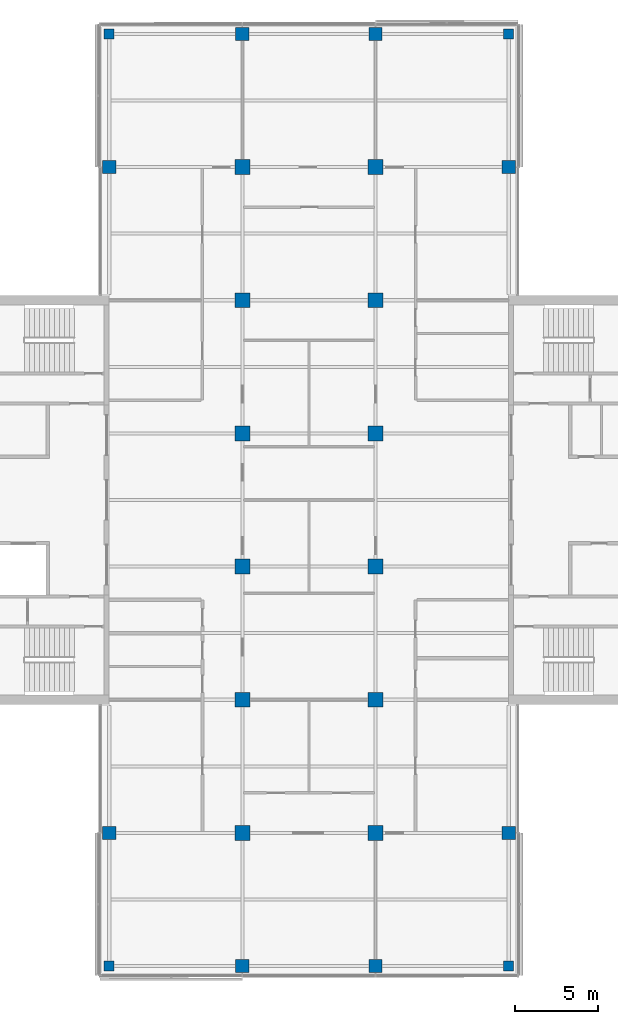
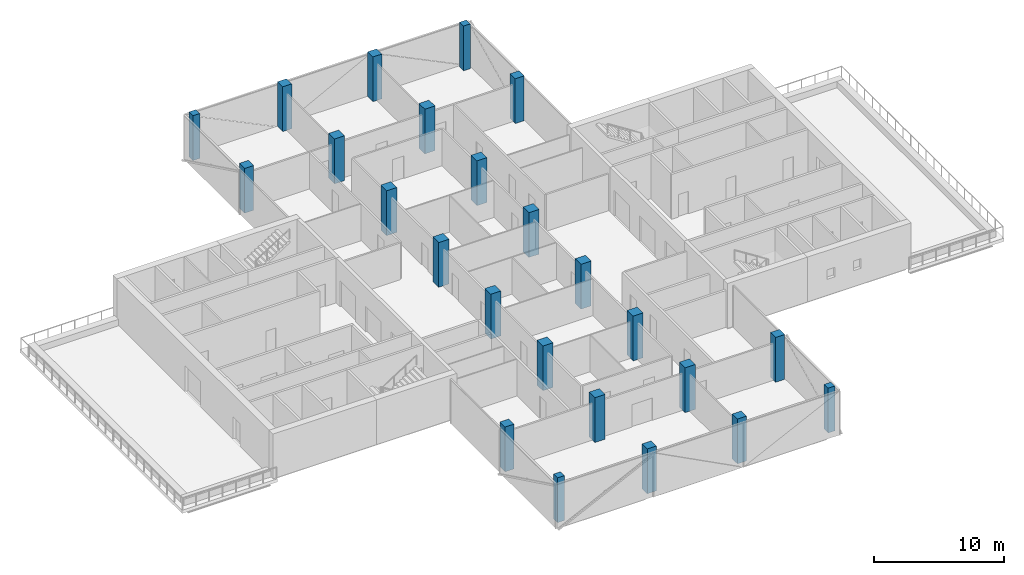
# One storey, part 1 of 18: 24 columns.
"""IFC4 building model written with IfcOpenShell, lengths in metres."""

import ifcopenshell
import ifcopenshell.guid

model = None  # the IFC model being written
_history = None  # IfcOwnerHistory: only IFC2X3 demands one
_inside = {}  # id of a spatial element -> (the spatial element, [elements in it])
_under = {}  # id of a project, library or spatial element -> (it, [spatial elements below it])
_declared = {}  # id of a project -> (the project, [libraries it declares])
_typed = {}  # id of a type object -> (the type object, [elements of that type])
_made_of = {}  # id of a material, layer set ... -> (it, [elements and type objects made of it])


def new_model(schema):
    """Start an empty IFC model of exactly this schema.

    Asked for "IFC4X3", IfcOpenShell would pick the latest addendum, in which some entities
    have other attributes; the version numbers below select the first issue.
    IFC2X3 requires an IfcOwnerHistory on every rooted entity: one is made here for all.
    """
    global model, _history
    if schema == "IFC4X3":
        model = ifcopenshell.file(schema_version=(4, 3, 0, 0))
    else:
        model = ifcopenshell.file(schema=schema)
    _inside.clear()
    _under.clear()
    _declared.clear()
    _typed.clear()
    _made_of.clear()
    _history = None
    if model.schema == "IFC2X3":
        org = make("IfcOrganization", Name="unknown")
        user = make(
            "IfcPersonAndOrganization",
            ThePerson=make("IfcPerson", FamilyName="unknown"),
            TheOrganization=org,
        )
        app = make(
            "IfcApplication",
            ApplicationDeveloper=org,
            Version="unknown",
            ApplicationFullName="unknown",
            ApplicationIdentifier="unknown",
        )
        _history = make(
            "IfcOwnerHistory",
            OwningUser=user,
            OwningApplication=app,
            ChangeAction="ADDED",
            CreationDate=0,
        )
    return model


def make(cls, **values):
    """One entity of the class cls with the attributes given. An attribute that is None is left unset."""
    return model.create_entity(
        cls, **{name: value for name, value in values.items() if value is not None}
    )


def rooted(cls, **values):
    """An entity with a GlobalId (a new one), such as an element, a storey or a relation."""
    return make(cls, GlobalId=ifcopenshell.guid.new(), OwnerHistory=_history, **values)


def si_unit(unit_type, name, prefix=None):
    """IfcSIUnit, for example si_unit("LENGTHUNIT", "METRE", prefix="MILLI")."""
    return make("IfcSIUnit", UnitType=unit_type, Prefix=prefix, Name=name)


def assignment(units):
    """IfcUnitAssignment: the units of a project."""
    return None if units is None else make("IfcUnitAssignment", Units=units)


def point(xyz):
    """IfcCartesianPoint."""
    return None if xyz is None else make("IfcCartesianPoint", Coordinates=xyz)


def direction(xyz):
    """IfcDirection."""
    return None if xyz is None else make("IfcDirection", DirectionRatios=xyz)


def frame(location, z_axis=None, x_axis=None):
    """IfcAxis2Placement3D, a coordinate frame: its origin and axes. An axis left out is left unset."""
    return make(
        "IfcAxis2Placement3D",
        Location=point(location),
        Axis=direction(z_axis),
        RefDirection=direction(x_axis),
    )


def frame_2d(location, x_axis=None):
    """IfcAxis2Placement2D, a coordinate frame in the plane: its origin and x axis."""
    return make(
        "IfcAxis2Placement2D", Location=point(location), RefDirection=direction(x_axis)
    )


def origin():
    """The frame at (0, 0, 0) with its axes left unset."""
    return frame((0.0, 0.0, 0.0))


def origin_2d():
    """The frame at (0, 0) in the plane with its x axis left unset."""
    return frame_2d((0.0, 0.0))


def place(relative_to, where):
    """IfcLocalPlacement: puts the frame where relative to a parent placement (None: the world)."""
    return make(
        "IfcLocalPlacement", PlacementRelTo=relative_to, RelativePlacement=where
    )


def context(
    kind, dimensions, precision=None, world=None, true_north=None, identifier=None
):
    """IfcGeometricRepresentationContext, for example the 3D "Model" context."""
    return make(
        "IfcGeometricRepresentationContext",
        ContextIdentifier=identifier,
        ContextType=kind,
        CoordinateSpaceDimension=dimensions,
        Precision=precision,
        WorldCoordinateSystem=world,
        TrueNorth=true_north,
    )


def subcontext(parent, identifier, kind, view, scale=None):
    """IfcGeometricRepresentationSubContext, for example "Body" below "Model"."""
    return make(
        "IfcGeometricRepresentationSubContext",
        ContextIdentifier=identifier,
        ContextType=kind,
        ParentContext=parent,
        TargetScale=scale,
        TargetView=view,
    )


def project(units=None, contexts=None):
    """IfcProject with its units and contexts."""
    return rooted(
        "IfcProject",
        Name="project",
        RepresentationContexts=contexts,
        UnitsInContext=assignment(units),
    )


def spatial(cls, under=None, at=None, **own):
    """A site, building, storey or space (cls), placed at a placement, below another one or the project."""
    s = rooted(cls, ObjectPlacement=at, **own)
    if under is not None:
        _under.setdefault(under.id(), (under, []))[1].append(s)
    return s


def profile(cls, at=None, kind="AREA", **sizes):
    """A parametric profile (cls). Its sizes go by their IFC names, for example OverallWidth=200.0."""
    return make(cls, ProfileType=kind, Position=at, **sizes)


def rectangle(**sizes):
    """IfcRectangleProfileDef."""
    return profile("IfcRectangleProfileDef", **sizes)


def extrude(swept, where, along, depth):
    """IfcExtrudedAreaSolid: the profile swept, set in the frame where, extruded along a direction by depth."""
    return make(
        "IfcExtrudedAreaSolid",
        SweptArea=swept,
        Position=where,
        ExtrudedDirection=direction(along),
        Depth=depth,
    )


def shape(context_of_items, identifier, shape_type, items):
    """IfcShapeRepresentation: the items that make up one representation, for example the "Body"."""
    return make(
        "IfcShapeRepresentation",
        ContextOfItems=context_of_items,
        RepresentationIdentifier=identifier,
        RepresentationType=shape_type,
        Items=items,
    )


def material(Name=None, Category=None):
    """IfcMaterial."""
    return make("IfcMaterial", Name=Name, Category=Category)


def material_profile(
    of_material, cross_section, Name=None, Category=None, Priority=None
):
    """IfcMaterialProfile: a cross section and its material."""
    return make(
        "IfcMaterialProfile",
        Name=Name,
        Material=of_material,
        Profile=cross_section,
        Priority=Priority,
        Category=Category,
    )


def profile_set(profiles, Name=None, composite=None):
    """IfcMaterialProfileSet."""
    return make(
        "IfcMaterialProfileSet",
        Name=Name,
        MaterialProfiles=profiles,
        CompositeProfile=composite,
    )


def made_of(thing, what):
    """Note that an element or type object is made of a material, layer set ...; save() writes the relation."""
    if what is not None:
        _made_of.setdefault(what.id(), (what, []))[1].append(thing)
    return thing


def type_object(cls, material=None, **own):
    """A type object (cls), such as IfcWallType, which elements share."""
    return made_of(rooted(cls, **own), material)


def element(
    cls,
    number,
    at=None,
    inside=None,
    cuts=None,
    type_object=None,
    material=None,
    context=None,
    identifier="Body",
    shape_type=None,
    held_by="IfcProductDefinitionShape",
    body=None,
    shapes=None,
    **own,
):
    """One element of the class cls, such as IfcWall. Its Tag is "e" and its number.

    at: its placement. inside: the storey or other place that contains it. cuts: it is an
    opening in that element (IfcRelVoidsElement). A single representation is given by context,
    identifier, shape_type and body (its items); several are given by shapes. held_by: the class
    of the entity that holds the representations. save() writes the other relations.
    """
    e = rooted(cls, Tag="e%d" % number, ObjectPlacement=at, **own)
    if body is not None:
        shapes = [shape(context, identifier, shape_type, body)]
    if shapes is not None:
        e.Representation = make(held_by, Representations=shapes)
    if inside is not None:
        _inside.setdefault(inside.id(), (inside, []))[1].append(e)
    if cuts is not None:
        rooted(
            "IfcRelVoidsElement", RelatingBuildingElement=cuts, RelatedOpeningElement=e
        )
    if type_object is not None:
        _typed.setdefault(type_object.id(), (type_object, []))[1].append(e)
    return made_of(e, material)


def aggregate(whole, parts):
    """IfcRelAggregates: a whole, such as a stair, and the parts it consists of."""
    return rooted("IfcRelAggregates", RelatingObject=whole, RelatedObjects=parts)


def save(model, path):
    """Write the relations noted so far, then the file.

    IfcRelAggregates (storeys below a building ...), IfcRelContainedInSpatialStructure (elements
    in a storey), IfcRelDefinesByType, IfcRelAssociatesMaterial and IfcRelDeclares: one each for
    every whole, place, type object, material and project.
    """
    for whole, parts in _under.values():
        aggregate(whole, parts)
    for where, things in _inside.values():
        rooted(
            "IfcRelContainedInSpatialStructure",
            RelatedElements=things,
            RelatingStructure=where,
        )
    for kind, things in _typed.values():
        rooted("IfcRelDefinesByType", RelatedObjects=things, RelatingType=kind)
    for what, things in _made_of.values():
        rooted("IfcRelAssociatesMaterial", RelatedObjects=things, RelatingMaterial=what)
    for by, libraries in _declared.values():
        rooted("IfcRelDeclares", RelatingContext=by, RelatedDefinitions=libraries)
    model.write(path)


model = new_model("IFC4")

# Units and contexts
model_context = context("Model", 3, precision=1e-05, world=origin(), true_north=direction((0.0, 1.0)))
body_context = subcontext(model_context, "Body", "Model", "MODEL_VIEW")
ifc_project = project(units=[si_unit("LENGTHUNIT", "METRE"), si_unit("AREAUNIT", "SQUARE_METRE"), si_unit("VOLUMEUNIT", "CUBIC_METRE"), si_unit("PLANEANGLEUNIT", "RADIAN"), si_unit("MASSUNIT", "GRAM", prefix="KILO")], contexts=[model_context])

# Site, building, storey
site_placement = place(None, origin())
site = spatial("IfcSite", under=ifc_project, at=site_placement, CompositionType="ELEMENT")
building_placement = place(site_placement, origin())
building = spatial("IfcBuilding", under=site, at=building_placement, Name="Crosswind Convention Tower", CompositionType="ELEMENT")
storey_placement = place(building_placement, frame((0.0, 0.0, 178.89990234375)))
storey = spatial("IfcBuildingStorey", under=building, at=storey_placement, Name="L37", CompositionType="ELEMENT", Elevation=178.89990234375)

# Columns
ifc_material = material(Name="Concrete C60/75", Category="concrete")
ifc_material_profile_1 = material_profile(ifc_material, rectangle(XDim=0.60009765625, YDim=0.60009765625, at=origin_2d()), Name="RC 600X600")
ifc_profile_set_1 = profile_set([ifc_material_profile_1], Name="Concrete C60/75")
column_type_1 = type_object("IfcColumnType", Name="Column RC 600X600", PredefinedType="COLUMN", material=ifc_profile_set_1)
for number, where, z_axis, x_axis, name in (
    (1, (113.0, 72.0, 0.0), (0.0, 0.0, 1.0), (1.0, 0.0, 0.0), "C16 L37 5/C"),
    (2, (113.0, 128.0, 0.0), (0.0, 0.0, 1.0), (1.0, 0.0, 0.0), "C16 L37 5/J"),
    (3, (137.0, 72.0, 0.0), (0.0, 0.0, 1.0), (1.0, 0.0, 0.0), "C16 L37 8/C"),
    (4, (137.0, 128.0, 0.0), (0.0, 0.0, 1.0), (1.0, 0.0, 0.0), "C16 L37 8/J"),
):
    element("IfcColumn", number, at=place(storey_placement, frame(where, z_axis=z_axis, x_axis=x_axis)), inside=storey, type_object=column_type_1, Name=name, PredefinedType="COLUMN", context=body_context, shape_type="SweptSolid", body=[
        extrude(rectangle(XDim=0.60009765625, YDim=0.60009765625, at=origin_2d()), origin(), (0.0, 0.0, 1.0), 4.2001953125),
    ])
ifc_material_profile_2 = material_profile(ifc_material, rectangle(XDim=0.800048828125, YDim=0.800048828125, at=origin_2d()), Name="RC 800X800")
ifc_profile_set_2 = profile_set([ifc_material_profile_2], Name="Concrete C60/75")
column_type_2 = type_object("IfcColumnType", Name="Column RC 800X800", PredefinedType="COLUMN", material=ifc_profile_set_2)
for number, where, z_axis, x_axis, name in (
    (5, (113.0, 80.0, 0.0), (0.0, 0.0, 1.0), (1.0, 0.0, 0.0), "C14 L37 5/D"),
    (6, (113.0, 120.0, 0.0), (0.0, 0.0, 1.0), (1.0, 0.0, 0.0), "C14 L37 5/I"),
    (7, (121.0, 72.0, 0.0), (0.0, 0.0, 1.0), (1.0, 0.0, 0.0), "C14 L37 6/C"),
    (8, (121.0, 128.0, 0.0), (0.0, 0.0, 1.0), (1.0, 0.0, 0.0), "C14 L37 6/J"),
    (9, (129.0, 72.0, 0.0), (0.0, 0.0, 1.0), (1.0, 0.0, 0.0), "C14 L37 7/C"),
    (10, (129.0, 128.0, 0.0), (0.0, 0.0, 1.0), (1.0, 0.0, 0.0), "C14 L37 7/J"),
    (11, (137.0, 80.0, 0.0), (0.0, 0.0, 1.0), (1.0, 0.0, 0.0), "C14 L37 8/D"),
    (12, (137.0, 120.0, 0.0), (0.0, 0.0, 1.0), (1.0, 0.0, 0.0), "C14 L37 8/I"),
):
    element("IfcColumn", number, at=place(storey_placement, frame(where, z_axis=z_axis, x_axis=x_axis)), inside=storey, type_object=column_type_2, Name=name, PredefinedType="COLUMN", context=body_context, shape_type="SweptSolid", body=[
        extrude(rectangle(XDim=0.800048828125, YDim=0.800048828125, at=origin_2d()), origin(), (0.0, 0.0, 1.0), 4.2001953125),
    ])
ifc_material_profile_3 = material_profile(ifc_material, rectangle(XDim=0.89990234375, YDim=0.89990234375, at=origin_2d()), Name="RC 900X900")
ifc_profile_set_3 = profile_set([ifc_material_profile_3], Name="Concrete C60/75")
column_type_3 = type_object("IfcColumnType", Name="Column RC 900X900", PredefinedType="COLUMN", material=ifc_profile_set_3)
for number, where, z_axis, x_axis, name in (
    (13, (121.0, 80.0, 0.0), (0.0, 0.0, 1.0), (1.0, 0.0, 0.0), "C13 L37 6/D"),
    (14, (121.0, 88.0, 0.0), (0.0, 0.0, 1.0), (1.0, 0.0, 0.0), "C13 L37 6/E"),
    (15, (121.0, 96.0, 0.0), (0.0, 0.0, 1.0), (1.0, 0.0, 0.0), "C13 L37 6/F"),
    (16, (121.0, 104.0, 0.0), (0.0, 0.0, 1.0), (1.0, 0.0, 0.0), "C13 L37 6/G"),
    (17, (121.0, 112.0, 0.0), (0.0, 0.0, 1.0), (1.0, 0.0, 0.0), "C13 L37 6/H"),
    (18, (121.0, 120.0, 0.0), (0.0, 0.0, 1.0), (1.0, 0.0, 0.0), "C13 L37 6/I"),
    (19, (129.0, 80.0, 0.0), (0.0, 0.0, 1.0), (1.0, 0.0, 0.0), "C13 L37 7/D"),
    (20, (129.0, 88.0, 0.0), (0.0, 0.0, 1.0), (1.0, 0.0, 0.0), "C13 L37 7/E"),
    (21, (129.0, 96.0, 0.0), (0.0, 0.0, 1.0), (1.0, 0.0, 0.0), "C13 L37 7/F"),
    (22, (129.0, 104.0, 0.0), (0.0, 0.0, 1.0), (1.0, 0.0, 0.0), "C13 L37 7/G"),
    (23, (129.0, 112.0, 0.0), (0.0, 0.0, 1.0), (1.0, 0.0, 0.0), "C13 L37 7/H"),
    (24, (129.0, 120.0, 0.0), (0.0, 0.0, 1.0), (1.0, 0.0, 0.0), "C13 L37 7/I"),
):
    element("IfcColumn", number, at=place(storey_placement, frame(where, z_axis=z_axis, x_axis=x_axis)), inside=storey, type_object=column_type_3, Name=name, PredefinedType="COLUMN", context=body_context, shape_type="SweptSolid", body=[
        extrude(rectangle(XDim=0.89990234375, YDim=0.89990234375, at=origin_2d()), origin(), (0.0, 0.0, 1.0), 4.2001953125),
    ])

save(model, "model.ifc")
